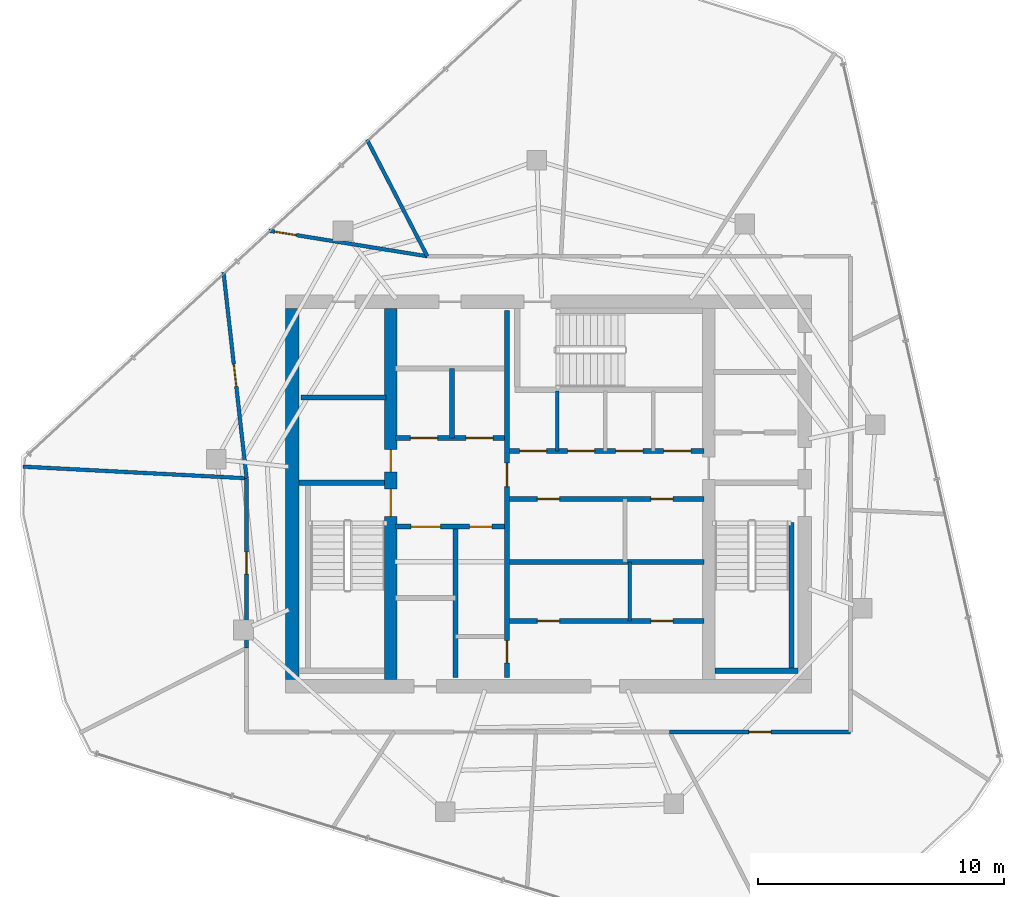
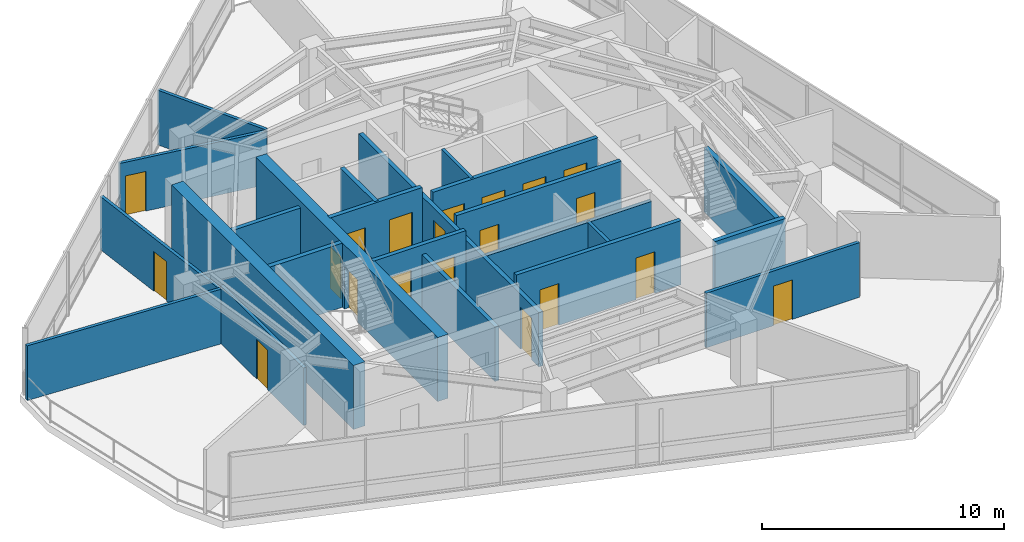
# One storey, part 14 of 19: 23 walls, 20 doors, 20 openings.
"""IFC4 building model written with IfcOpenShell, lengths in metres."""

from ifc_helpers import new_model, si_unit, direction, frame, frame_2d, origin, place, context, subcontext, project, spatial, rectangle, extrude, material, layer, layer_set, type_object, element, fill, save


model = new_model("IFC4")

# Units and contexts
model_context = context("Model", 3, precision=1e-05, world=origin(), true_north=direction((0.0, 1.0)))
body_context = subcontext(model_context, "Body", "Model", "MODEL_VIEW")
ifc_project = project(units=[si_unit("LENGTHUNIT", "METRE"), si_unit("AREAUNIT", "SQUARE_METRE"), si_unit("VOLUMEUNIT", "CUBIC_METRE"), si_unit("PLANEANGLEUNIT", "RADIAN"), si_unit("MASSUNIT", "GRAM", prefix="KILO")], contexts=[model_context])

# Site, building, storey
site_placement = place(None, origin())
site = spatial("IfcSite", under=ifc_project, at=site_placement, CompositionType="ELEMENT")
building_placement = place(site_placement, origin())
building = spatial("IfcBuilding", under=site, at=building_placement, Name="Qarnah Convention Tower", CompositionType="ELEMENT")
storey_placement = place(building_placement, frame((0.0, 0.0, 228.300048828125)))
storey = spatial("IfcBuildingStorey", under=building, at=storey_placement, Name="L61", CompositionType="ELEMENT", Elevation=228.300048828125)

# Wall
ifc_material_1 = material(Name="Concrete C60/75", Category="concrete")
ifc_layer_1 = layer(ifc_material_1, 0.550048828125)
ifc_layer_set_1 = layer_set([ifc_layer_1], Name="Concrete C60/75")
wall_type_1 = type_object("IfcWallType", Name="WL-CORE-550", PredefinedType="SHEAR", material=ifc_layer_set_1)
wall_1_placement = place(storey_placement, frame((26.800048828125, 18.875, 0.0), z_axis=(0.0, 0.0, 1.0), x_axis=(0.0, 1.0, 0.0)))
element("IfcWall", 1, at=wall_1_placement, inside=storey, type_object=wall_type_1, Name="L61 core west shear wall", PredefinedType="SHEAR", context=body_context, shape_type="SweptSolid", body=[
    extrude(rectangle(XDim=15.050048828125, YDim=0.550048828125, at=frame_2d((7.52490234375, 0.0))), origin(), (0.0, 0.0, 1.0), 3.239990234375),
])

# Wall, openings, doors
ifc_layer_2 = layer(ifc_material_1, 0.5)
ifc_layer_set_2 = layer_set([ifc_layer_2], Name="Concrete C60/75")
wall_type_2 = type_object("IfcWallType", Name="WL-CORE-INT-400", PredefinedType="SHEAR", material=ifc_layer_set_2)
wall_2_placement = place(storey_placement, frame((30.800048828125, 18.875, 0.0), z_axis=(0.0, 0.0, 1.0), x_axis=(0.0, 1.0, 0.0)))
wall_2 = element("IfcWall", 2, at=wall_2_placement, inside=storey, type_object=wall_type_2, Name="L61 core west spine shear wall", PredefinedType="SHEAR", context=body_context, shape_type="SweptSolid", body=[
    extrude(rectangle(XDim=15.050048828125, YDim=0.5, at=frame_2d((7.52490234375, 0.0))), origin(), (0.0, 0.0, 1.0), 3.239990234375),
])
opening_1_placement = place(wall_2_placement, frame((6.625, 0.0, 0.0)))
opening_1 = element("IfcOpeningElement", 3, at=opening_1_placement, cuts=wall_2, Name="Opening D-6101", PredefinedType="OPENING", context=body_context, shape_type="SweptSolid", body=[
    extrude(rectangle(XDim=1.10009765625, YDim=2.14990234375, at=frame_2d((0.550048828125, 1.074951171875))), frame((0.0, 0.260009765625, 0.0), z_axis=(0.0, -1.0, 0.0), x_axis=(1.0, 0.0, 0.0)), (0.0, 0.0, 1.0), 0.52001953125),
])
opening_2_placement = place(wall_2_placement, frame((8.425048828125, 0.0, 0.0)))
opening_2 = element("IfcOpeningElement", 4, at=opening_2_placement, cuts=wall_2, Name="Opening D-6108", PredefinedType="OPENING", context=body_context, shape_type="SweptSolid", body=[
    extrude(rectangle(XDim=0.89990234375, YDim=2.10009765625, at=frame_2d((0.449951171875, 1.050048828125))), frame((0.0, 0.260009765625, 0.0), z_axis=(0.0, -1.0, 0.0), x_axis=(1.0, 0.0, 0.0)), (0.0, 0.0, 1.0), 0.52001953125),
])
ifc_material_2 = material(Name="Structural steel S355JR", Category="steel")
door_type_1 = type_object("IfcDoorType", Name="DT-RISER-900", OperationType="NOTDEFINED", PredefinedType="DOOR", material=ifc_material_2)
door_1_placement = place(opening_2_placement, origin())
door_1 = element("IfcDoor", 5, at=door_1_placement, inside=storey, type_object=door_type_1, Name="Door D-6108", OperationType="SINGLE_SWING_LEFT", OverallHeight=2.10009765625, OverallWidth=0.89990234375, PredefinedType="DOOR", context=body_context, shape_type="SweptSolid", body=[
    extrude(rectangle(XDim=0.89990234375, YDim=2.10009765625, at=frame_2d((0.449951171875, 1.050048828125))), frame((0.0, 0.02490234375, 0.0), z_axis=(0.0, -1.0, 0.0), x_axis=(1.0, 0.0, 0.0)), (0.0, 0.0, 1.0), 0.050048828125),
])
fill(opening_2, door_1)
door_type_2 = type_object("IfcDoorType", Name="DT-STAIR-1100", OperationType="NOTDEFINED", PredefinedType="DOOR", material=ifc_material_2)
door_2_placement = place(opening_1_placement, origin())
door_2 = element("IfcDoor", 6, at=door_2_placement, inside=storey, type_object=door_type_2, Name="Door D-6101", OperationType="SINGLE_SWING_RIGHT", OverallHeight=2.14990234375, OverallWidth=1.10009765625, PredefinedType="DOOR", context=body_context, shape_type="SweptSolid", body=[
    extrude(rectangle(XDim=1.10009765625, YDim=2.14990234375, at=frame_2d((0.550048828125, 1.074951171875))), frame((0.0, 0.02490234375, 0.0), z_axis=(0.0, -1.0, 0.0), x_axis=(1.0, 0.0, 0.0)), (0.0, 0.0, 1.0), 0.050048828125),
])
fill(opening_1, door_2)

# Wall
ifc_material_3 = material(Name="Concrete C45/55", Category="concrete")
ifc_layer_3 = layer(ifc_material_3, 0.199951171875)
ifc_layer_set_3 = layer_set([ifc_layer_3], Name="Concrete C45/55")
wall_type_3 = type_object("IfcWallType", Name="WL-CORE-PART-200", PredefinedType="SOLIDWALL", material=ifc_layer_set_3)
wall_3_placement = place(storey_placement, frame((27.14990234375, 30.320068359375, 0.0), z_axis=(0.0, 0.0, 1.0), x_axis=(1.0, 0.0, 0.0)))
element("IfcWall", 7, at=wall_3_placement, inside=storey, type_object=wall_type_3, Name="L61 interior wall IW-L61-ELRN", PredefinedType="SOLIDWALL", context=body_context, shape_type="SweptSolid", body=[
    extrude(rectangle(XDim=3.4501953125, YDim=0.199951171875, at=frame_2d((1.72509765625, 0.0))), origin(), (0.0, 0.0, 1.0), 2.912841796875),
])

# Wall, openings, doors
wall_4_placement = place(storey_placement, frame((35.52001953125, 18.949951171875, 0.0), z_axis=(0.0, 0.0, 1.0), x_axis=(0.0, 1.0, 0.0)))
wall_4 = element("IfcWall", 8, at=wall_4_placement, inside=storey, type_object=wall_type_3, Name="L61 interior wall IW-L61-CSP", PredefinedType="SOLIDWALL", context=body_context, shape_type="SweptSolid", body=[
    extrude(rectangle(XDim=14.900146484375, YDim=0.199951171875, at=frame_2d((7.4501953125, 0.0))), origin(), (0.0, 0.0, 1.0), 2.760986328125),
])
opening_3_placement = place(wall_4_placement, frame((7.7548828125, 0.0, 0.0)))
opening_3 = element("IfcOpeningElement", 9, at=opening_3_placement, cuts=wall_4, Name="Opening D-6104", PredefinedType="OPENING", context=body_context, shape_type="SweptSolid", body=[
    extrude(rectangle(XDim=0.949951171875, YDim=2.14990234375, at=frame_2d((0.47509765625, 1.074951171875))), frame((0.0, 0.10986328125, 0.0), z_axis=(0.0, -1.0, 0.0), x_axis=(1.0, 0.0, 0.0)), (0.0, 0.0, 1.0), 0.219970703125),
])
opening_4_placement = place(wall_4_placement, frame((0.60009765625, 0.0, 0.0)))
opening_4 = element("IfcOpeningElement", 10, at=opening_4_placement, cuts=wall_4, Name="Opening D-6114", PredefinedType="OPENING", context=body_context, shape_type="SweptSolid", body=[
    extrude(rectangle(XDim=0.89990234375, YDim=2.10009765625, at=frame_2d((0.449951171875, 1.050048828125))), frame((0.0, 0.10986328125, 0.0), z_axis=(0.0, -1.0, 0.0), x_axis=(1.0, 0.0, 0.0)), (0.0, 0.0, 1.0), 0.219970703125),
])
ifc_material_4 = material(Name="Oak timber veneer", Category="wood")
door_type_3 = type_object("IfcDoorType", Name="DT-HOTEL-950", OperationType="NOTDEFINED", PredefinedType="DOOR", material=ifc_material_4)
door_3_placement = place(opening_3_placement, origin())
door_3 = element("IfcDoor", 11, at=door_3_placement, inside=storey, type_object=door_type_3, Name="Door D-6104", OperationType="SINGLE_SWING_LEFT", OverallHeight=2.14990234375, OverallWidth=0.949951171875, PredefinedType="DOOR", context=body_context, shape_type="SweptSolid", body=[
    extrude(rectangle(XDim=0.949951171875, YDim=2.14990234375, at=frame_2d((0.47509765625, 1.074951171875))), frame((0.0, 0.02490234375, 0.0), z_axis=(0.0, -1.0, 0.0), x_axis=(1.0, 0.0, 0.0)), (0.0, 0.0, 1.0), 0.050048828125),
])
fill(opening_3, door_3)
door_4_placement = place(opening_4_placement, origin())
door_4 = element("IfcDoor", 12, at=door_4_placement, inside=storey, type_object=door_type_1, Name="Door D-6114", OperationType="SINGLE_SWING_LEFT", OverallHeight=2.10009765625, OverallWidth=0.89990234375, PredefinedType="DOOR", context=body_context, shape_type="SweptSolid", body=[
    extrude(rectangle(XDim=0.89990234375, YDim=2.10009765625, at=frame_2d((0.449951171875, 1.050048828125))), frame((0.0, 0.02490234375, 0.0), z_axis=(0.0, -1.0, 0.0), x_axis=(1.0, 0.0, 0.0)), (0.0, 0.0, 1.0), 0.050048828125),
])
fill(opening_4, door_4)

wall_5_placement = place(storey_placement, frame((31.0, 28.679931640625, 0.0), z_axis=(0.0, 0.0, 1.0), x_axis=(1.0, 0.0, 0.0)))
wall_5 = element("IfcWall", 13, at=wall_5_placement, inside=storey, type_object=wall_type_3, Name="L61 interior wall IW-L61-FFLS", PredefinedType="SOLIDWALL", context=body_context, shape_type="SweptSolid", body=[
    extrude(rectangle(XDim=4.419921875, YDim=0.199951171875, at=frame_2d((2.2099609375, 0.0))), origin(), (0.0, 0.0, 1.0), 3.239990234375),
])
opening_5_placement = place(wall_5_placement, frame((0.60009765625, 0.0, 0.0)))
opening_5 = element("IfcOpeningElement", 14, at=opening_5_placement, cuts=wall_5, Name="Opening LD-6101", PredefinedType="OPENING", context=body_context, shape_type="SweptSolid", body=[
    extrude(rectangle(XDim=1.10009765625, YDim=2.14990234375, at=frame_2d((0.550048828125, 1.074951171875))), frame((0.0, 0.10986328125, 0.0), z_axis=(0.0, -1.0, 0.0), x_axis=(1.0, 0.0, 0.0)), (0.0, 0.0, 1.0), 0.219970703125),
])
opening_6_placement = place(wall_5_placement, frame((2.85009765625, 0.0, 0.0)))
opening_6 = element("IfcOpeningElement", 15, at=opening_6_placement, cuts=wall_5, Name="Opening LD-6102", PredefinedType="OPENING", context=body_context, shape_type="SweptSolid", body=[
    extrude(rectangle(XDim=1.10009765625, YDim=2.14990234375, at=frame_2d((0.550048828125, 1.074951171875))), frame((0.0, 0.10986328125, 0.0), z_axis=(0.0, -1.0, 0.0), x_axis=(1.0, 0.0, 0.0)), (0.0, 0.0, 1.0), 0.219970703125),
])
door_type_4 = type_object("IfcDoorType", Name="DT-LIFT-1100", OperationType="SLIDING_TO_LEFT", PredefinedType="DOOR", material=ifc_material_2)
door_5_placement = place(opening_5_placement, origin())
door_5 = element("IfcDoor", 16, at=door_5_placement, inside=storey, type_object=door_type_4, Name="Door LD-6101", OperationType="SLIDING_TO_LEFT", OverallHeight=2.14990234375, OverallWidth=1.10009765625, PredefinedType="DOOR", context=body_context, shape_type="SweptSolid", body=[
    extrude(rectangle(XDim=1.10009765625, YDim=2.14990234375, at=frame_2d((0.550048828125, 1.074951171875))), frame((0.0, 0.02490234375, 0.0), z_axis=(0.0, -1.0, 0.0), x_axis=(1.0, 0.0, 0.0)), (0.0, 0.0, 1.0), 0.050048828125),
])
fill(opening_5, door_5)
door_6_placement = place(opening_6_placement, origin())
door_6 = element("IfcDoor", 17, at=door_6_placement, inside=storey, type_object=door_type_4, Name="Door LD-6102", OperationType="SLIDING_TO_LEFT", OverallHeight=2.14990234375, OverallWidth=1.10009765625, PredefinedType="DOOR", context=body_context, shape_type="SweptSolid", body=[
    extrude(rectangle(XDim=1.10009765625, YDim=2.14990234375, at=frame_2d((0.550048828125, 1.074951171875))), frame((0.0, 0.02490234375, 0.0), z_axis=(0.0, -1.0, 0.0), x_axis=(1.0, 0.0, 0.0)), (0.0, 0.0, 1.0), 0.050048828125),
])
fill(opening_6, door_6)

# Wall
wall_6_placement = place(storey_placement, frame((33.280029296875, 28.679931640625, 0.0), z_axis=(0.0, 0.0, 1.0), x_axis=(0.0, 1.0, 0.0)))
element("IfcWall", 18, at=wall_6_placement, inside=storey, type_object=wall_type_3, Name="L61 interior wall IW-L61-FFLM", PredefinedType="SOLIDWALL", context=body_context, shape_type="SweptSolid", body=[
    extrude(rectangle(XDim=2.820068359375, YDim=0.199951171875, at=frame_2d((1.41015625, 0.0))), origin(), (0.0, 0.0, 1.0), 3.239990234375),
])

# Wall, openings, doors
wall_7_placement = place(storey_placement, frame((31.0, 25.080078125, 0.0), z_axis=(0.0, 0.0, 1.0), x_axis=(1.0, 0.0, 0.0)))
wall_7 = element("IfcWall", 19, at=wall_7_placement, inside=storey, type_object=wall_type_3, Name="L61 interior wall IW-L61-FFLBS", PredefinedType="SOLIDWALL", context=body_context, shape_type="SweptSolid", body=[
    extrude(rectangle(XDim=4.419921875, YDim=0.199951171875, at=frame_2d((2.2099609375, 0.0))), origin(), (0.0, 0.0, 1.0), 3.239990234375),
])
opening_7_placement = place(wall_7_placement, frame((3.0, 0.0, 0.0)))
opening_7 = element("IfcOpeningElement", 20, at=opening_7_placement, cuts=wall_7, Name="Opening D-6115", PredefinedType="OPENING", context=body_context, shape_type="SweptSolid", body=[
    extrude(rectangle(XDim=0.89990234375, YDim=2.10009765625, at=frame_2d((0.449951171875, 1.050048828125))), frame((0.0, 0.10986328125, 0.0), z_axis=(0.0, -1.0, 0.0), x_axis=(1.0, 0.0, 0.0)), (0.0, 0.0, 1.0), 0.219970703125),
])
opening_8_placement = place(wall_7_placement, frame((0.6201171875, 0.0, 0.0)))
opening_8 = element("IfcOpeningElement", 21, at=opening_8_placement, cuts=wall_7, Name="Opening LD-6103", PredefinedType="OPENING", context=body_context, shape_type="SweptSolid", body=[
    extrude(rectangle(XDim=1.199951171875, YDim=2.14990234375, at=frame_2d((0.60009765625, 1.074951171875))), frame((0.0, 0.10986328125, 0.0), z_axis=(0.0, -1.0, 0.0), x_axis=(1.0, 0.0, 0.0)), (0.0, 0.0, 1.0), 0.219970703125),
])
door_type_5 = type_object("IfcDoorType", Name="DT-LIFT-1200", OperationType="SLIDING_TO_LEFT", PredefinedType="DOOR", material=ifc_material_2)
door_7_placement = place(opening_8_placement, origin())
door_7 = element("IfcDoor", 22, at=door_7_placement, inside=storey, type_object=door_type_5, Name="Door LD-6103", OperationType="SLIDING_TO_LEFT", OverallHeight=2.14990234375, OverallWidth=1.199951171875, PredefinedType="DOOR", context=body_context, shape_type="SweptSolid", body=[
    extrude(rectangle(XDim=1.199951171875, YDim=2.14990234375, at=frame_2d((0.60009765625, 1.074951171875))), frame((0.0, 0.02490234375, 0.0), z_axis=(0.0, -1.0, 0.0), x_axis=(1.0, 0.0, 0.0)), (0.0, 0.0, 1.0), 0.050048828125),
])
fill(opening_8, door_7)
door_8_placement = place(opening_7_placement, origin())
door_8 = element("IfcDoor", 23, at=door_8_placement, inside=storey, type_object=door_type_1, Name="Door D-6115", OperationType="SINGLE_SWING_RIGHT", OverallHeight=2.10009765625, OverallWidth=0.89990234375, PredefinedType="DOOR", context=body_context, shape_type="SweptSolid", body=[
    extrude(rectangle(XDim=0.89990234375, YDim=2.10009765625, at=frame_2d((0.449951171875, 1.050048828125))), frame((0.0, 0.02490234375, 0.0), z_axis=(0.0, -1.0, 0.0), x_axis=(1.0, 0.0, 0.0)), (0.0, 0.0, 1.0), 0.050048828125),
])
fill(opening_7, door_8)

# Wall
wall_8_placement = place(storey_placement, frame((33.419921875, 18.949951171875, 0.0), z_axis=(0.0, 0.0, 1.0), x_axis=(0.0, 1.0, 0.0)))
element("IfcWall", 24, at=wall_8_placement, inside=storey, type_object=wall_type_3, Name="L61 interior wall IW-L61-SVLE", PredefinedType="SOLIDWALL", context=body_context, shape_type="SweptSolid", body=[
    extrude(rectangle(XDim=6.130126953125, YDim=0.199951171875, at=frame_2d((3.06494140625, 0.0))), origin(), (0.0, 0.0, 1.0), 2.760986328125),
])

# Wall, openings, doors
wall_9_placement = place(storey_placement, frame((35.6201171875, 28.14990234375, 0.0), z_axis=(0.0, 0.0, 1.0), x_axis=(1.0, 0.0, 0.0)))
wall_9 = element("IfcWall", 25, at=wall_9_placement, inside=storey, type_object=wall_type_3, Name="L61 interior wall IW-L61-PHS", PredefinedType="SOLIDWALL", context=body_context, shape_type="SweptSolid", body=[
    extrude(rectangle(XDim=7.8798828125, YDim=0.199951171875, at=frame_2d((3.93994140625, 0.0))), origin(), (0.0, 0.0, 1.0), 3.239990234375),
])
opening_9_placement = place(wall_9_placement, frame((0.405029296875, 0.0, 0.0)))
opening_9 = element("IfcOpeningElement", 26, at=opening_9_placement, cuts=wall_9, Name="Opening LD-6104", PredefinedType="OPENING", context=body_context, shape_type="SweptSolid", body=[
    extrude(rectangle(XDim=1.10009765625, YDim=2.14990234375, at=frame_2d((0.550048828125, 1.074951171875))), frame((0.0, 0.10986328125, 0.0), z_axis=(0.0, -1.0, 0.0), x_axis=(1.0, 0.0, 0.0)), (0.0, 0.0, 1.0), 0.219970703125),
])
opening_10_placement = place(wall_9_placement, frame((2.35498046875, 0.0, 0.0)))
opening_10 = element("IfcOpeningElement", 27, at=opening_10_placement, cuts=wall_9, Name="Opening LD-6105", PredefinedType="OPENING", context=body_context, shape_type="SweptSolid", body=[
    extrude(rectangle(XDim=1.10009765625, YDim=2.14990234375, at=frame_2d((0.550048828125, 1.074951171875))), frame((0.0, 0.10986328125, 0.0), z_axis=(0.0, -1.0, 0.0), x_axis=(1.0, 0.0, 0.0)), (0.0, 0.0, 1.0), 0.219970703125),
])
opening_11_placement = place(wall_9_placement, frame((4.304931640625, 0.0, 0.0)))
opening_11 = element("IfcOpeningElement", 28, at=opening_11_placement, cuts=wall_9, Name="Opening LD-6106", PredefinedType="OPENING", context=body_context, shape_type="SweptSolid", body=[
    extrude(rectangle(XDim=1.10009765625, YDim=2.14990234375, at=frame_2d((0.550048828125, 1.074951171875))), frame((0.0, 0.10986328125, 0.0), z_axis=(0.0, -1.0, 0.0), x_axis=(1.0, 0.0, 0.0)), (0.0, 0.0, 1.0), 0.219970703125),
])
opening_12_placement = place(wall_9_placement, frame((6.2548828125, 0.0, 0.0)))
opening_12 = element("IfcOpeningElement", 29, at=opening_12_placement, cuts=wall_9, Name="Opening LD-6107", PredefinedType="OPENING", context=body_context, shape_type="SweptSolid", body=[
    extrude(rectangle(XDim=1.10009765625, YDim=2.14990234375, at=frame_2d((0.550048828125, 1.074951171875))), frame((0.0, 0.10986328125, 0.0), z_axis=(0.0, -1.0, 0.0), x_axis=(1.0, 0.0, 0.0)), (0.0, 0.0, 1.0), 0.219970703125),
])
door_9_placement = place(opening_9_placement, origin())
door_9 = element("IfcDoor", 30, at=door_9_placement, inside=storey, type_object=door_type_4, Name="Door LD-6104", OperationType="SLIDING_TO_LEFT", OverallHeight=2.14990234375, OverallWidth=1.10009765625, PredefinedType="DOOR", context=body_context, shape_type="SweptSolid", body=[
    extrude(rectangle(XDim=1.10009765625, YDim=2.14990234375, at=frame_2d((0.550048828125, 1.074951171875))), frame((0.0, 0.02490234375, 0.0), z_axis=(0.0, -1.0, 0.0), x_axis=(1.0, 0.0, 0.0)), (0.0, 0.0, 1.0), 0.050048828125),
])
fill(opening_9, door_9)
door_10_placement = place(opening_10_placement, origin())
door_10 = element("IfcDoor", 31, at=door_10_placement, inside=storey, type_object=door_type_4, Name="Door LD-6105", OperationType="SLIDING_TO_LEFT", OverallHeight=2.14990234375, OverallWidth=1.10009765625, PredefinedType="DOOR", context=body_context, shape_type="SweptSolid", body=[
    extrude(rectangle(XDim=1.10009765625, YDim=2.14990234375, at=frame_2d((0.550048828125, 1.074951171875))), frame((0.0, 0.02490234375, 0.0), z_axis=(0.0, -1.0, 0.0), x_axis=(1.0, 0.0, 0.0)), (0.0, 0.0, 1.0), 0.050048828125),
])
fill(opening_10, door_10)
door_11_placement = place(opening_11_placement, origin())
door_11 = element("IfcDoor", 32, at=door_11_placement, inside=storey, type_object=door_type_4, Name="Door LD-6106", OperationType="SLIDING_TO_LEFT", OverallHeight=2.14990234375, OverallWidth=1.10009765625, PredefinedType="DOOR", context=body_context, shape_type="SweptSolid", body=[
    extrude(rectangle(XDim=1.10009765625, YDim=2.14990234375, at=frame_2d((0.550048828125, 1.074951171875))), frame((0.0, 0.02490234375, 0.0), z_axis=(0.0, -1.0, 0.0), x_axis=(1.0, 0.0, 0.0)), (0.0, 0.0, 1.0), 0.050048828125),
])
fill(opening_11, door_11)
door_12_placement = place(opening_12_placement, origin())
door_12 = element("IfcDoor", 33, at=door_12_placement, inside=storey, type_object=door_type_4, Name="Door LD-6107", OperationType="SLIDING_TO_LEFT", OverallHeight=2.14990234375, OverallWidth=1.10009765625, PredefinedType="DOOR", context=body_context, shape_type="SweptSolid", body=[
    extrude(rectangle(XDim=1.10009765625, YDim=2.14990234375, at=frame_2d((0.550048828125, 1.074951171875))), frame((0.0, 0.02490234375, 0.0), z_axis=(0.0, -1.0, 0.0), x_axis=(1.0, 0.0, 0.0)), (0.0, 0.0, 1.0), 0.050048828125),
])
fill(opening_12, door_12)

wall_10_placement = place(storey_placement, frame((35.6201171875, 26.199951171875, 0.0), z_axis=(0.0, 0.0, 1.0), x_axis=(1.0, 0.0, 0.0)))
wall_10 = element("IfcWall", 34, at=wall_10_placement, inside=storey, type_object=wall_type_3, Name="L61 interior wall IW-L61-PMN", PredefinedType="SOLIDWALL", context=body_context, shape_type="SweptSolid", body=[
    extrude(rectangle(XDim=7.8798828125, YDim=0.199951171875, at=frame_2d((3.93994140625, 0.0))), origin(), (0.0, 0.0, 1.0), 3.239990234375),
])
opening_13_placement = place(wall_10_placement, frame((1.1298828125, 0.0, 0.0)))
opening_13 = element("IfcOpeningElement", 35, at=opening_13_placement, cuts=wall_10, Name="Opening D-6118", PredefinedType="OPENING", context=body_context, shape_type="SweptSolid", body=[
    extrude(rectangle(XDim=0.89990234375, YDim=2.10009765625, at=frame_2d((0.449951171875, 1.050048828125))), frame((0.0, 0.10986328125, 0.0), z_axis=(0.0, -1.0, 0.0), x_axis=(1.0, 0.0, 0.0)), (0.0, 0.0, 1.0), 0.219970703125),
])
opening_14_placement = place(wall_10_placement, frame((5.72998046875, 0.0, 0.0)))
opening_14 = element("IfcOpeningElement", 36, at=opening_14_placement, cuts=wall_10, Name="Opening D-6119", PredefinedType="OPENING", context=body_context, shape_type="SweptSolid", body=[
    extrude(rectangle(XDim=0.89990234375, YDim=2.10009765625, at=frame_2d((0.449951171875, 1.050048828125))), frame((0.0, 0.10986328125, 0.0), z_axis=(0.0, -1.0, 0.0), x_axis=(1.0, 0.0, 0.0)), (0.0, 0.0, 1.0), 0.219970703125),
])
door_13_placement = place(opening_13_placement, origin())
door_13 = element("IfcDoor", 37, at=door_13_placement, inside=storey, type_object=door_type_1, Name="Door D-6118", OperationType="SINGLE_SWING_LEFT", OverallHeight=2.10009765625, OverallWidth=0.89990234375, PredefinedType="DOOR", context=body_context, shape_type="SweptSolid", body=[
    extrude(rectangle(XDim=0.89990234375, YDim=2.10009765625, at=frame_2d((0.449951171875, 1.050048828125))), frame((0.0, 0.02490234375, 0.0), z_axis=(0.0, -1.0, 0.0), x_axis=(1.0, 0.0, 0.0)), (0.0, 0.0, 1.0), 0.050048828125),
])
fill(opening_13, door_13)
door_14_placement = place(opening_14_placement, origin())
door_14 = element("IfcDoor", 38, at=door_14_placement, inside=storey, type_object=door_type_1, Name="Door D-6119", OperationType="SINGLE_SWING_RIGHT", OverallHeight=2.10009765625, OverallWidth=0.89990234375, PredefinedType="DOOR", context=body_context, shape_type="SweptSolid", body=[
    extrude(rectangle(XDim=0.89990234375, YDim=2.10009765625, at=frame_2d((0.449951171875, 1.050048828125))), frame((0.0, 0.02490234375, 0.0), z_axis=(0.0, -1.0, 0.0), x_axis=(1.0, 0.0, 0.0)), (0.0, 0.0, 1.0), 0.050048828125),
])
fill(opening_14, door_14)

# Wall
wall_11_placement = place(storey_placement, frame((35.6201171875, 23.64990234375, 0.0), z_axis=(0.0, 0.0, 1.0), x_axis=(1.0, 0.0, 0.0)))
element("IfcWall", 39, at=wall_11_placement, inside=storey, type_object=wall_type_3, Name="L61 interior wall IW-L61-PMPL", PredefinedType="SOLIDWALL", context=body_context, shape_type="SweptSolid", body=[
    extrude(rectangle(XDim=7.8798828125, YDim=0.199951171875, at=frame_2d((3.93994140625, 0.0))), origin(), (0.0, 0.0, 1.0), 2.760986328125),
])

# Wall, openings, doors
wall_12_placement = place(storey_placement, frame((35.6201171875, 21.25, 0.0), z_axis=(0.0, 0.0, 1.0), x_axis=(1.0, 0.0, 0.0)))
wall_12 = element("IfcWall", 40, at=wall_12_placement, inside=storey, type_object=wall_type_3, Name="L61 interior wall IW-L61-PLS", PredefinedType="SOLIDWALL", context=body_context, shape_type="SweptSolid", body=[
    extrude(rectangle(XDim=7.8798828125, YDim=0.199951171875, at=frame_2d((3.93994140625, 0.0))), origin(), (0.0, 0.0, 1.0), 3.239990234375),
])
opening_15_placement = place(wall_12_placement, frame((1.1298828125, 0.0, 0.0)))
opening_15 = element("IfcOpeningElement", 41, at=opening_15_placement, cuts=wall_12, Name="Opening D-6116", PredefinedType="OPENING", context=body_context, shape_type="SweptSolid", body=[
    extrude(rectangle(XDim=0.89990234375, YDim=2.10009765625, at=frame_2d((0.449951171875, 1.050048828125))), frame((0.0, 0.10986328125, 0.0), z_axis=(0.0, -1.0, 0.0), x_axis=(1.0, 0.0, 0.0)), (0.0, 0.0, 1.0), 0.219970703125),
])
opening_16_placement = place(wall_12_placement, frame((5.72998046875, 0.0, 0.0)))
opening_16 = element("IfcOpeningElement", 42, at=opening_16_placement, cuts=wall_12, Name="Opening D-6117", PredefinedType="OPENING", context=body_context, shape_type="SweptSolid", body=[
    extrude(rectangle(XDim=0.89990234375, YDim=2.10009765625, at=frame_2d((0.449951171875, 1.050048828125))), frame((0.0, 0.10986328125, 0.0), z_axis=(0.0, -1.0, 0.0), x_axis=(1.0, 0.0, 0.0)), (0.0, 0.0, 1.0), 0.219970703125),
])
door_15_placement = place(opening_15_placement, origin())
door_15 = element("IfcDoor", 43, at=door_15_placement, inside=storey, type_object=door_type_1, Name="Door D-6116", OperationType="SINGLE_SWING_LEFT", OverallHeight=2.10009765625, OverallWidth=0.89990234375, PredefinedType="DOOR", context=body_context, shape_type="SweptSolid", body=[
    extrude(rectangle(XDim=0.89990234375, YDim=2.10009765625, at=frame_2d((0.449951171875, 1.050048828125))), frame((0.0, 0.02490234375, 0.0), z_axis=(0.0, -1.0, 0.0), x_axis=(1.0, 0.0, 0.0)), (0.0, 0.0, 1.0), 0.050048828125),
])
fill(opening_15, door_15)
door_16_placement = place(opening_16_placement, origin())
door_16 = element("IfcDoor", 44, at=door_16_placement, inside=storey, type_object=door_type_1, Name="Door D-6117", OperationType="SINGLE_SWING_RIGHT", OverallHeight=2.10009765625, OverallWidth=0.89990234375, PredefinedType="DOOR", context=body_context, shape_type="SweptSolid", body=[
    extrude(rectangle(XDim=0.89990234375, YDim=2.10009765625, at=frame_2d((0.449951171875, 1.050048828125))), frame((0.0, 0.02490234375, 0.0), z_axis=(0.0, -1.0, 0.0), x_axis=(1.0, 0.0, 0.0)), (0.0, 0.0, 1.0), 0.050048828125),
])
fill(opening_16, door_16)

# Walls
ifc_layer_4 = layer(ifc_material_1, 0.219970703125)
ifc_layer_set_4 = layer_set([ifc_layer_4], Name="Concrete C60/75")
wall_type_4 = type_object("IfcWallType", Name="WL-CORE-STAIR-220", PredefinedType="SHEAR", material=ifc_layer_set_4)
wall_13_placement = place(storey_placement, frame((27.074951171875, 26.860107421875, 0.0), z_axis=(0.0, 0.0, 1.0), x_axis=(1.0, 0.0, 0.0)))
element("IfcWall", 45, at=wall_13_placement, inside=storey, type_object=wall_type_4, Name="L61 stair shaft shear wall SW-L61-ST1N", PredefinedType="SHEAR", context=body_context, shape_type="SweptSolid", body=[
    extrude(rectangle(XDim=3.47509765625, YDim=0.219970703125, at=frame_2d((1.737548828125, 0.0))), origin(), (0.0, 0.0, 1.0), 3.239990234375),
])
wall_14_placement = place(storey_placement, frame((47.06005859375, 19.35009765625, 0.0), z_axis=(0.0, 0.0, 1.0), x_axis=(0.0, 1.0, 0.0)))
element("IfcWall", 46, at=wall_14_placement, inside=storey, type_object=wall_type_4, Name="L61 stair shaft shear wall SW-L61-ST2E", PredefinedType="SHEAR", context=body_context, shape_type="SweptSolid", body=[
    extrude(rectangle(XDim=5.89990234375, YDim=0.219970703125, at=frame_2d((2.949951171875, 0.0))), origin(), (0.0, 0.0, 1.0), 3.239990234375),
])
wall_15_placement = place(storey_placement, frame((43.949951171875, 19.239990234375, 0.0), z_axis=(0.0, 0.0, 1.0), x_axis=(1.0, 0.0, 0.0)))
element("IfcWall", 47, at=wall_15_placement, inside=storey, type_object=wall_type_4, Name="L61 stair shaft shear wall SW-L61-ST2S", PredefinedType="SHEAR", context=body_context, shape_type="SweptSolid", body=[
    extrude(rectangle(XDim=3.375, YDim=0.219970703125, at=frame_2d((1.6875, 0.0))), origin(), (0.0, 0.0, 1.0), 3.239990234375),
])
ifc_material_5 = material(Name="Gypsum partition board")
ifc_layer_5 = layer(ifc_material_5, 0.14990234375)
ifc_layer_set_5 = layer_set([ifc_layer_5], Name="Gypsum partition board")
wall_type_5 = type_object("IfcWallType", Name="WL-SUITE-150", PredefinedType="PARTITIONING", material=ifc_layer_set_5)
wall_16_placement = place(storey_placement, frame((37.550048828125, 28.14990234375, 0.0), z_axis=(0.0, 0.0, 1.0), x_axis=(0.0, 1.0, 0.0)))
element("IfcWall", 48, at=wall_16_placement, inside=storey, type_object=wall_type_5, Name="L61 interior wall IW-L61-PHD1", PredefinedType="PARTITIONING", context=body_context, shape_type="SweptSolid", body=[
    extrude(rectangle(XDim=2.43017578125, YDim=0.14990234375, at=frame_2d((1.215087890625, 0.0))), origin(), (0.0, 0.0, 1.0), 3.239990234375),
])
wall_17_placement = place(storey_placement, frame((40.5, 21.25, 0.0), z_axis=(0.0, 0.0, 1.0), x_axis=(0.0, 1.0, 0.0)))
element("IfcWall", 49, at=wall_17_placement, inside=storey, type_object=wall_type_5, Name="L61 interior wall IW-L61-PLFD", PredefinedType="PARTITIONING", context=body_context, shape_type="SweptSolid", body=[
    extrude(rectangle(XDim=2.39990234375, YDim=0.14990234375, at=frame_2d((1.199951171875, 0.0))), origin(), (0.0, 0.0, 1.0), 2.760986328125),
])
wall_18_placement = place(storey_placement, frame((29.839111328125, 40.77490234375, 0.0), z_axis=(0.0, 0.0, 1.0), x_axis=(0.459416676004, -0.888220872199, 0.0)))
element("IfcWall", 50, at=wall_18_placement, inside=storey, type_object=wall_type_5, Name="L61 interior wall IW-L61-R-04", PredefinedType="PARTITIONING", context=body_context, shape_type="SweptSolid", body=[
    extrude(rectangle(XDim=5.3193359375, YDim=0.14990234375, at=frame_2d((2.65966796875, 0.0))), origin(), (0.0, 0.0, 1.0), 2.764892578125),
])

# Wall, opening, door
wall_19_placement = place(storey_placement, frame((25.85009765625, 37.0869140625, 0.0), z_axis=(0.0, 0.0, 1.0), x_axis=(0.987257835499, -0.159128772529, 0.0)))
wall_19 = element("IfcWall", 51, at=wall_19_placement, inside=storey, type_object=wall_type_5, Name="L61 interior wall IW-L61-R-06", PredefinedType="PARTITIONING", context=body_context, shape_type="SweptSolid", body=[
    extrude(rectangle(XDim=6.515869140625, YDim=0.14990234375, at=frame_2d((3.2578125, 0.0))), origin(), (0.0, 0.0, 1.0), 2.68896484375),
])
opening_17_placement = place(wall_19_placement, frame((0.239990234375, 0.0, 0.0)))
opening_17 = element("IfcOpeningElement", 52, at=opening_17_placement, cuts=wall_19, Name="Opening D-6122", PredefinedType="OPENING", context=body_context, shape_type="SweptSolid", body=[
    extrude(rectangle(XDim=0.89990234375, YDim=2.0, at=frame_2d((0.449951171875, 1.0))), frame((0.0, 0.0849609375, 0.0), z_axis=(0.0, -1.0, 0.0), x_axis=(1.0, 0.0, 0.0)), (0.0, 0.0, 1.0), 0.169921875),
])
door_type_6 = type_object("IfcDoorType", Name="DT-PLANT-900", OperationType="NOTDEFINED", PredefinedType="DOOR", material=ifc_material_2)
door_17_placement = place(opening_17_placement, origin())
door_17 = element("IfcDoor", 53, at=door_17_placement, inside=storey, type_object=door_type_6, Name="Door D-6122", OperationType="SINGLE_SWING_LEFT", OverallHeight=2.0, OverallWidth=0.89990234375, PredefinedType="DOOR", context=body_context, shape_type="SweptSolid", body=[
    extrude(rectangle(XDim=0.89990234375, YDim=2.0, at=frame_2d((0.449951171875, 1.0))), frame((0.0, 0.02490234375, 0.0), z_axis=(0.0, -1.0, 0.0), x_axis=(1.0, 0.0, 0.0)), (0.0, 0.0, 1.0), 0.050048828125),
])
fill(opening_17, door_17)

# Wall
wall_20_placement = place(storey_placement, frame((15.8798828125, 27.513916015625, 0.0), z_axis=(0.0, 0.0, 1.0), x_axis=(0.998649134868, -0.051960614188, 0.0)))
element("IfcWall", 54, at=wall_20_placement, inside=storey, type_object=wall_type_5, Name="L61 interior wall IW-L61-R-07", PredefinedType="PARTITIONING", context=body_context, shape_type="SweptSolid", body=[
    extrude(rectangle(XDim=9.082275390625, YDim=0.14990234375, at=frame_2d((4.541015625, 0.0))), origin(), (0.0, 0.0, 1.0), 2.764892578125),
])

# Wall, opening, door
wall_21_placement = place(storey_placement, frame((24.949951171875, 27.0419921875, 0.0), z_axis=(0.0, 0.0, 1.0), x_axis=(-0.111362366536, 0.99377986663, 0.0)))
wall_21 = element("IfcWall", 55, at=wall_21_placement, inside=storey, type_object=wall_type_5, Name="L61 interior wall IW-L61-R-08", PredefinedType="PARTITIONING", context=body_context, shape_type="SweptSolid", body=[
    extrude(rectangle(XDim=8.4052734375, YDim=0.14990234375, at=frame_2d((4.20263671875, 0.0))), origin(), (0.0, 0.0, 1.0), 2.68896484375),
])
opening_18_placement = place(wall_21_placement, frame((3.7529296875, 0.0, 0.0)))
opening_18 = element("IfcOpeningElement", 56, at=opening_18_placement, cuts=wall_21, Name="Opening D-6123", PredefinedType="OPENING", context=body_context, shape_type="SweptSolid", body=[
    extrude(rectangle(XDim=0.89990234375, YDim=2.0, at=frame_2d((0.449951171875, 1.0))), frame((0.0, 0.0849609375, 0.0), z_axis=(0.0, -1.0, 0.0), x_axis=(1.0, 0.0, 0.0)), (0.0, 0.0, 1.0), 0.169921875),
])
door_18_placement = place(opening_18_placement, origin())
door_18 = element("IfcDoor", 57, at=door_18_placement, inside=storey, type_object=door_type_6, Name="Door D-6123", OperationType="SINGLE_SWING_RIGHT", OverallHeight=2.0, OverallWidth=0.89990234375, PredefinedType="DOOR", context=body_context, shape_type="SweptSolid", body=[
    extrude(rectangle(XDim=0.89990234375, YDim=2.0, at=frame_2d((0.449951171875, 1.0))), frame((0.0, 0.02490234375, 0.0), z_axis=(0.0, -1.0, 0.0), x_axis=(1.0, 0.0, 0.0)), (0.0, 0.0, 1.0), 0.050048828125),
])
fill(opening_18, door_18)

wall_22_placement = place(storey_placement, frame((24.949951171875, 20.157958984375, 0.0), z_axis=(0.0, 0.0, 1.0), x_axis=(0.0, 1.0, 0.0)))
wall_22 = element("IfcWall", 58, at=wall_22_placement, inside=storey, type_object=wall_type_5, Name="L61 interior wall IW-L61-R-10", PredefinedType="PARTITIONING", context=body_context, shape_type="SweptSolid", body=[
    extrude(rectangle(XDim=6.884033203125, YDim=0.14990234375, at=frame_2d((3.44189453125, 0.0))), origin(), (0.0, 0.0, 1.0), 2.912841796875),
])
opening_19_placement = place(wall_22_placement, frame((2.991943359375, 0.0, 0.0)))
opening_19 = element("IfcOpeningElement", 59, at=opening_19_placement, cuts=wall_22, Name="Opening D-6124", PredefinedType="OPENING", context=body_context, shape_type="SweptSolid", body=[
    extrude(rectangle(XDim=0.89990234375, YDim=2.0, at=frame_2d((0.449951171875, 1.0))), frame((0.0, 0.0849609375, 0.0), z_axis=(0.0, -1.0, 0.0), x_axis=(1.0, 0.0, 0.0)), (0.0, 0.0, 1.0), 0.169921875),
])
door_19_placement = place(opening_19_placement, origin())
door_19 = element("IfcDoor", 60, at=door_19_placement, inside=storey, type_object=door_type_6, Name="Door D-6124", OperationType="SINGLE_SWING_LEFT", OverallHeight=2.0, OverallWidth=0.89990234375, PredefinedType="DOOR", context=body_context, shape_type="SweptSolid", body=[
    extrude(rectangle(XDim=0.89990234375, YDim=2.0, at=frame_2d((0.449951171875, 1.0))), frame((0.0, 0.02490234375, 0.0), z_axis=(0.0, -1.0, 0.0), x_axis=(1.0, 0.0, 0.0)), (0.0, 0.0, 1.0), 0.050048828125),
])
fill(opening_19, door_19)

wall_23_placement = place(storey_placement, frame((49.449951171875, 16.75, 0.0), z_axis=(0.0, 0.0, 1.0), x_axis=(-1.0, 0.0, 0.0)))
wall_23 = element("IfcWall", 61, at=wall_23_placement, inside=storey, type_object=wall_type_5, Name="L61 interior wall IW-L61-R-21", PredefinedType="PARTITIONING", context=body_context, shape_type="SweptSolid", body=[
    extrude(rectangle(XDim=7.3330078125, YDim=0.14990234375, at=frame_2d((3.66650390625, 0.0))), origin(), (0.0, 0.0, 1.0), 2.764892578125),
])
opening_20_placement = place(wall_23_placement, frame((3.217041015625, 0.0, 0.0)))
opening_20 = element("IfcOpeningElement", 62, at=opening_20_placement, cuts=wall_23, Name="Opening D-6128", PredefinedType="OPENING", context=body_context, shape_type="SweptSolid", body=[
    extrude(rectangle(XDim=0.89990234375, YDim=2.0, at=frame_2d((0.449951171875, 1.0))), frame((0.0, 0.0849609375, 0.0), z_axis=(0.0, -1.0, 0.0), x_axis=(1.0, 0.0, 0.0)), (0.0, 0.0, 1.0), 0.169921875),
])
door_20_placement = place(opening_20_placement, origin())
door_20 = element("IfcDoor", 63, at=door_20_placement, inside=storey, type_object=door_type_6, Name="Door D-6128", OperationType="SINGLE_SWING_LEFT", OverallHeight=2.0, OverallWidth=0.89990234375, PredefinedType="DOOR", context=body_context, shape_type="SweptSolid", body=[
    extrude(rectangle(XDim=0.89990234375, YDim=2.0, at=frame_2d((0.449951171875, 1.0))), frame((0.0, 0.02490234375, 0.0), z_axis=(0.0, -1.0, 0.0), x_axis=(1.0, 0.0, 0.0)), (0.0, 0.0, 1.0), 0.050048828125),
])
fill(opening_20, door_20)

save(model, "model.ifc")
